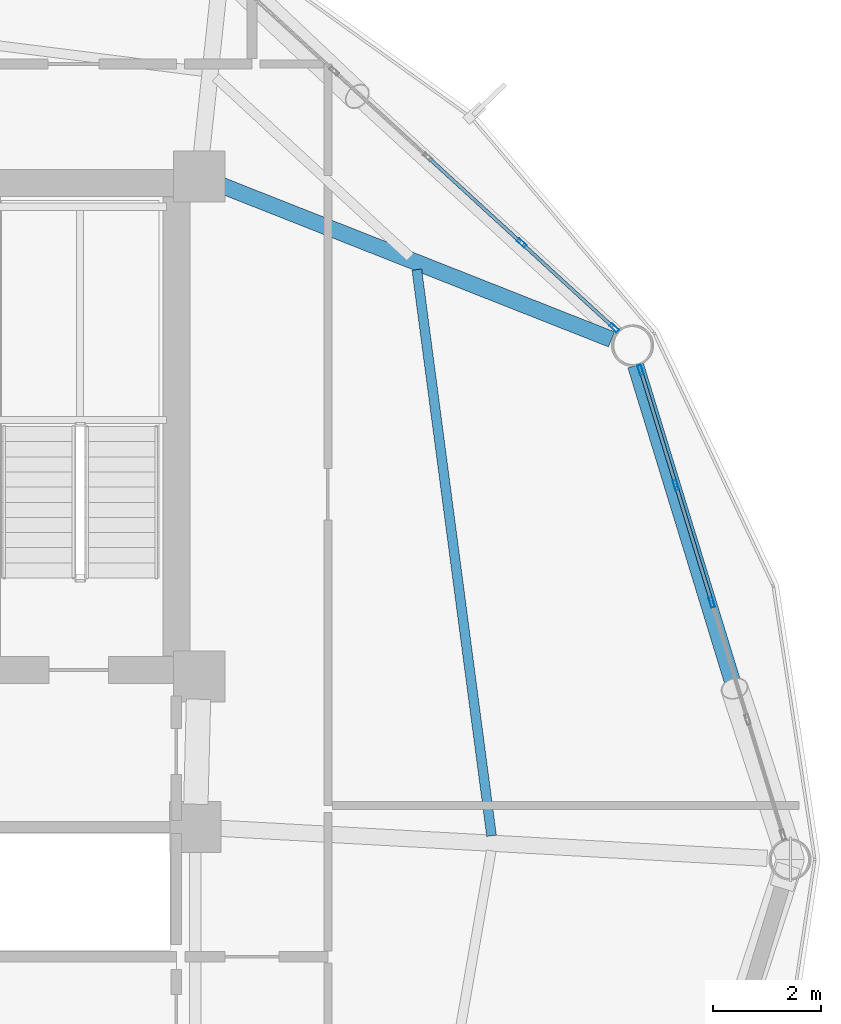
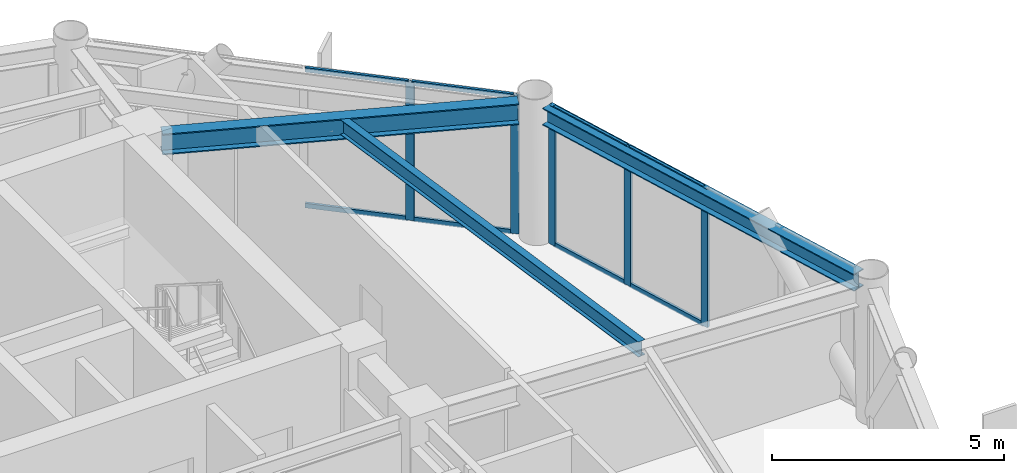
# One storey, part 15 of 25: 13 members, 3 beams, 2 elements without a shape of their own.
"""IFC4 building model written with IfcOpenShell, lengths in metres."""

from ifc_helpers import new_model, si_unit, direction, frame, origin, origin_2d, place, context, subcontext, project, spatial, hollow_rectangle, i_section, extrude, material, layer, layer_set, material_profile, profile_set, type_object, element, aggregate, save


model = new_model("IFC4")

# Units and contexts
model_context = context("Model", 3, precision=1e-05, world=origin(), true_north=direction((0.0, 1.0)))
body_context = subcontext(model_context, "Body", "Model", "MODEL_VIEW")
ifc_project = project(units=[si_unit("LENGTHUNIT", "METRE"), si_unit("AREAUNIT", "SQUARE_METRE"), si_unit("VOLUMEUNIT", "CUBIC_METRE"), si_unit("PLANEANGLEUNIT", "RADIAN"), si_unit("MASSUNIT", "GRAM", prefix="KILO")], contexts=[model_context])

# Site, building, storey
site_placement = place(None, origin())
site = spatial("IfcSite", under=ifc_project, at=site_placement, CompositionType="ELEMENT")
building_placement = place(site_placement, origin())
building = spatial("IfcBuilding", under=site, at=building_placement, Name="Varnakorn Sky Granary", CompositionType="ELEMENT")
storey_placement = place(building_placement, frame((0.0, 0.0, 146.10009765625)))
storey = spatial("IfcBuildingStorey", under=building, at=storey_placement, Name="L36", CompositionType="ELEMENT", Elevation=146.10009765625)

# Beams
ifc_material_1 = material(Name="Steel S355JR", Category="steel")
ifc_material_profile_1 = material_profile(ifc_material_1, i_section(OverallWidth=0.300048828125, OverallDepth=0.550048828125, WebThickness=0.014892578125, FlangeThickness=0.029052734375, at=origin_2d()), Name="HE 550 B")
ifc_profile_set_1 = profile_set([ifc_material_profile_1], Name="Steel S355JR")
beam_type_1 = type_object("IfcBeamType", Name="BM-RAD-Z3", PredefinedType="BEAM", material=ifc_profile_set_1)
beam_1_placement = place(storey_placement, frame((8.810791015625, 12.4658203125, 3.364990234375), z_axis=(0.930117958461, -0.367260919984, 0.0), x_axis=(0.367260919984, 0.930117958461, 0.0)))
element("IfcBeam", 1, at=beam_1_placement, inside=storey, type_object=beam_type_1, Name="Radial Floor Girder RG02 L36", PredefinedType="BEAM", context=body_context, shape_type="SweptSolid", body=[
    extrude(i_section(OverallWidth=0.300048828125, OverallDepth=0.550048828125, WebThickness=0.014892578125, FlangeThickness=0.029052734375, at=origin_2d()), origin(), (0.0, 0.0, 1.0), 7.773681640625),
])
ifc_material_profile_2 = material_profile(ifc_material_1, i_section(OverallWidth=0.179931640625, OverallDepth=0.39990234375, WebThickness=0.008544921875, FlangeThickness=0.013427734375, at=origin_2d()), Name="IPE 400")
ifc_profile_set_2 = profile_set([ifc_material_profile_2], Name="Steel S355JR")
beam_type_2 = type_object("IfcBeamType", Name="BM-SEC-Z3", PredefinedType="BEAM", material=ifc_profile_set_2)
beam_2_placement = place(storey_placement, frame((13.8251953125, 0.437255859375, 3.43994140625), z_axis=(-0.130848275611, 0.991402405065, 0.0), x_axis=(-0.991402405065, -0.130848275611, 0.0)))
element("IfcBeam", 2, at=beam_2_placement, inside=storey, type_object=beam_type_2, Name="Secondary Floor Chord Beam MSB01 L36", PredefinedType="BEAM", context=body_context, shape_type="SweptSolid", body=[
    extrude(i_section(OverallWidth=0.179931640625, OverallDepth=0.39990234375, WebThickness=0.008544921875, FlangeThickness=0.013427734375, at=origin_2d()), origin(), (0.0, 0.0, 1.0), 10.55322265625),
])
ifc_material_profile_3 = material_profile(ifc_material_1, i_section(OverallWidth=0.300048828125, OverallDepth=0.449951171875, WebThickness=0.013916015625, FlangeThickness=0.02587890625, at=origin_2d()), Name="HE 450 B")
ifc_profile_set_3 = profile_set([ifc_material_profile_3], Name="Steel S355JR")
beam_type_3 = type_object("IfcBeamType", Name="BM-SPD-Z3", PredefinedType="SPANDREL", material=ifc_profile_set_3)
beam_3_placement = place(storey_placement, frame((19.17578125, 0.35009765625, 3.414794921875), z_axis=(-0.292751000274, 0.956188711416, 0.0), x_axis=(-0.956188711416, -0.292751000274, 0.0)))
element("IfcBeam", 3, at=beam_3_placement, inside=storey, type_object=beam_type_3, Name="Perimeter Spandrel Ring Beam RB01 L36", PredefinedType="SPANDREL", context=body_context, shape_type="SweptSolid", body=[
    extrude(i_section(OverallWidth=0.300048828125, OverallDepth=0.449951171875, WebThickness=0.013916015625, FlangeThickness=0.02587890625, at=origin_2d()), origin(), (0.0, 0.0, 1.0), 9.178466796875),
])

# Curtain wall, members
ifc_material_2 = material(Name="Anodised Bronze Aluminium Alloy 6063-T6", Category="aluminium")
ifc_layer = layer(ifc_material_2, 0.179931640625, Name="Anodised Bronze Aluminium Alloy 6063-T6")
ifc_layer_set = layer_set([ifc_layer], Name="Anodised Bronze Aluminium Alloy 6063-T6")
curtain_wall_type = type_object("IfcCurtainWallType", Name="CW-FRM-2", PredefinedType="USERDEFINED", material=ifc_layer_set)
curtain_wall_1_placement = place(storey_placement, origin())
curtain_wall_1 = element("IfcCurtainWall", 4, at=curtain_wall_1_placement, inside=storey, type_object=curtain_wall_type, Name="Unitised Curtain Wall CW4 CW-L36-B01", ObjectType="CURTAIN WALL", PredefinedType="USERDEFINED")
ifc_material_profile_4 = material_profile(ifc_material_2, hollow_rectangle(XDim=0.070068359375, YDim=0.18505859375, WallThickness=0.00390625, at=origin_2d()), Name="ALU MULL 70x185")
ifc_profile_set_4 = profile_set([ifc_material_profile_4], Name="Anodised Bronze Aluminium Alloy 6063-T6")
member_type_1 = type_object("IfcMemberType", Name="CW-FRM-2-MULL", PredefinedType="MULLION", material=ifc_profile_set_4)
member_1_placement = place(storey_placement, frame((16.5791015625, 9.04541015625, 0.0), z_axis=(0.0, 0.0, 1.0), x_axis=(0.956145304488, 0.29289273925, 0.0)))
member_1 = element("IfcMember", 5, at=member_1_placement, type_object=member_type_1, Name="CW4 mullion 1", PredefinedType="MULLION", context=body_context, shape_type="SweptSolid", body=[
    extrude(hollow_rectangle(XDim=0.070068359375, YDim=0.18505859375, WallThickness=0.00390625, at=origin_2d()), origin(), (0.0, 0.0, 1.0), 3.639892578125),
])
member_2_placement = place(storey_placement, frame((17.23193359375, 6.91455078125, 0.0), z_axis=(0.0, 0.0, 1.0), x_axis=(0.956145304488, 0.29289273925, 0.0)))
member_2 = element("IfcMember", 6, at=member_2_placement, type_object=member_type_1, Name="CW4 mullion 2", PredefinedType="MULLION", context=body_context, shape_type="SweptSolid", body=[
    extrude(hollow_rectangle(XDim=0.070068359375, YDim=0.18505859375, WallThickness=0.00390625, at=origin_2d()), origin(), (0.0, 0.0, 1.0), 3.639892578125),
])
member_3_placement = place(storey_placement, frame((17.894775390625, 4.750244140625, 0.0), z_axis=(0.0, 0.0, 1.0), x_axis=(0.956145304488, 0.29289273925, 0.0)))
member_3 = element("IfcMember", 7, at=member_3_placement, type_object=member_type_1, Name="CW4 mullion 3", PredefinedType="MULLION", context=body_context, shape_type="SweptSolid", body=[
    extrude(hollow_rectangle(XDim=0.070068359375, YDim=0.18505859375, WallThickness=0.00390625, at=origin_2d()), origin(), (0.0, 0.0, 1.0), 3.639892578125),
])

curtain_wall_2_placement = place(storey_placement, origin())
curtain_wall_2 = element("IfcCurtainWall", 8, at=curtain_wall_2_placement, inside=storey, type_object=curtain_wall_type, Name="Unitised Curtain Wall CW4 CW-L36-B02", ObjectType="CURTAIN WALL", PredefinedType="USERDEFINED")
member_4_placement = place(storey_placement, frame((14.381591796875, 11.38818359375, 0.0), z_axis=(0.0, 0.0, 1.0), x_axis=(0.675960473988, 0.736937879069, 0.0)))
member_4 = element("IfcMember", 9, at=member_4_placement, type_object=member_type_1, Name="CW4 mullion 4", PredefinedType="MULLION", context=body_context, shape_type="SweptSolid", body=[
    extrude(hollow_rectangle(XDim=0.070068359375, YDim=0.18505859375, WallThickness=0.00390625, at=origin_2d()), origin(), (0.0, 0.0, 1.0), 3.639892578125),
])
member_5_placement = place(storey_placement, frame((16.0888671875, 9.822265625, 0.0), z_axis=(0.0, 0.0, 1.0), x_axis=(0.675960473988, 0.736937879069, 0.0)))
member_5 = element("IfcMember", 10, at=member_5_placement, type_object=member_type_1, Name="CW4 mullion 5", PredefinedType="MULLION", context=body_context, shape_type="SweptSolid", body=[
    extrude(hollow_rectangle(XDim=0.070068359375, YDim=0.18505859375, WallThickness=0.00390625, at=origin_2d()), origin(), (0.0, 0.0, 1.0), 3.639892578125),
])

# Member
ifc_material_profile_5 = material_profile(ifc_material_2, hollow_rectangle(XDim=0.06494140625, YDim=0.1201171875, WallThickness=0.00341796875, at=origin_2d()), Name="ALU TRAN 65x120")
ifc_profile_set_5 = profile_set([ifc_material_profile_5], Name="Anodised Bronze Aluminium Alloy 6063-T6")
member_type_2 = type_object("IfcMemberType", Name="CW-FRM-2-TRAN", PredefinedType="USERDEFINED", material=ifc_profile_set_5)
member_6_placement = place(storey_placement, frame((16.58935546875, 9.011962890625, 0.032470703125), z_axis=(0.292925301905, -0.956135329074, 0.0), x_axis=(0.956135329074, 0.292925301905, 0.0)))
member_6 = element("IfcMember", 11, at=member_6_placement, type_object=member_type_2, Name="CW4 transom 1.1", ObjectType="TRANSOM", PredefinedType="USERDEFINED", context=body_context, shape_type="SweptSolid", body=[
    extrude(hollow_rectangle(XDim=0.06494140625, YDim=0.1201171875, WallThickness=0.00341796875, at=origin_2d()), origin(), (0.0, 0.0, 1.0), 2.15869140625),
])

member_7_placement = place(storey_placement, frame((16.58935546875, 9.011962890625, 3.607421875), z_axis=(0.292925301905, -0.956135329074, 0.0), x_axis=(0.956135329074, 0.292925301905, 0.0)))
member_7 = element("IfcMember", 12, at=member_7_placement, type_object=member_type_2, Name="CW4 transom 1.2", ObjectType="TRANSOM", PredefinedType="USERDEFINED", context=body_context, shape_type="SweptSolid", body=[
    extrude(hollow_rectangle(XDim=0.06494140625, YDim=0.1201171875, WallThickness=0.00341796875, at=origin_2d()), origin(), (0.0, 0.0, 1.0), 2.15869140625),
])

member_8_placement = place(storey_placement, frame((17.2421875, 6.881103515625, 0.032470703125), z_axis=(0.292826416271, -0.956165618465, 0.0), x_axis=(0.956165618465, 0.292826416271, 0.0)))
member_8 = element("IfcMember", 13, at=member_8_placement, type_object=member_type_2, Name="CW4 transom 2.1", ObjectType="TRANSOM", PredefinedType="USERDEFINED", context=body_context, shape_type="SweptSolid", body=[
    extrude(hollow_rectangle(XDim=0.06494140625, YDim=0.1201171875, WallThickness=0.00341796875, at=origin_2d()), origin(), (0.0, 0.0, 1.0), 2.193603515625),
])

member_9_placement = place(storey_placement, frame((17.2421875, 6.881103515625, 3.607421875), z_axis=(0.292826416271, -0.956165618465, 0.0), x_axis=(0.956165618465, 0.292826416271, 0.0)))
member_9 = element("IfcMember", 14, at=member_9_placement, type_object=member_type_2, Name="CW4 transom 2.2", ObjectType="TRANSOM", PredefinedType="USERDEFINED", context=body_context, shape_type="SweptSolid", body=[
    extrude(hollow_rectangle(XDim=0.06494140625, YDim=0.1201171875, WallThickness=0.00341796875, at=origin_2d()), origin(), (0.0, 0.0, 1.0), 2.193603515625),
])

aggregate(curtain_wall_1, [member_1, member_2, member_3, member_6, member_7, member_8, member_9])

member_10_placement = place(storey_placement, frame((12.67431640625, 12.954345703125, 0.032470703125), z_axis=(0.736940932781, -0.675957144789, 0.0), x_axis=(0.675957144789, 0.736940932781, 0.0)))
member_10 = element("IfcMember", 15, at=member_10_placement, type_object=member_type_2, Name="CW4 transom 3.1", ObjectType="TRANSOM", PredefinedType="USERDEFINED", context=body_context, shape_type="SweptSolid", body=[
    extrude(hollow_rectangle(XDim=0.06494140625, YDim=0.1201171875, WallThickness=0.00341796875, at=origin_2d()), origin(), (0.0, 0.0, 1.0), 2.281982421875),
])

member_11_placement = place(storey_placement, frame((12.67431640625, 12.954345703125, 3.607421875), z_axis=(0.736940932781, -0.675957144789, 0.0), x_axis=(0.675957144789, 0.736940932781, 0.0)))
member_11 = element("IfcMember", 16, at=member_11_placement, type_object=member_type_2, Name="CW4 transom 3.2", ObjectType="TRANSOM", PredefinedType="USERDEFINED", context=body_context, shape_type="SweptSolid", body=[
    extrude(hollow_rectangle(XDim=0.06494140625, YDim=0.1201171875, WallThickness=0.00341796875, at=origin_2d()), origin(), (0.0, 0.0, 1.0), 2.281982421875),
])

member_12_placement = place(storey_placement, frame((14.407470703125, 11.364501953125, 0.032470703125), z_axis=(0.736982708945, -0.67591159682, 0.0), x_axis=(0.67591159682, 0.736982708945, 0.0)))
member_12 = element("IfcMember", 17, at=member_12_placement, type_object=member_type_2, Name="CW4 transom 4.1", ObjectType="TRANSOM", PredefinedType="USERDEFINED", context=body_context, shape_type="SweptSolid", body=[
    extrude(hollow_rectangle(XDim=0.06494140625, YDim=0.1201171875, WallThickness=0.00341796875, at=origin_2d()), origin(), (0.0, 0.0, 1.0), 2.24658203125),
])

member_13_placement = place(storey_placement, frame((14.407470703125, 11.364501953125, 3.607421875), z_axis=(0.736982708945, -0.67591159682, 0.0), x_axis=(0.67591159682, 0.736982708945, 0.0)))
member_13 = element("IfcMember", 18, at=member_13_placement, type_object=member_type_2, Name="CW4 transom 4.2", ObjectType="TRANSOM", PredefinedType="USERDEFINED", context=body_context, shape_type="SweptSolid", body=[
    extrude(hollow_rectangle(XDim=0.06494140625, YDim=0.1201171875, WallThickness=0.00341796875, at=origin_2d()), origin(), (0.0, 0.0, 1.0), 2.24658203125),
])

aggregate(curtain_wall_2, [member_4, member_5, member_10, member_11, member_12, member_13])

save(model, "model.ifc")
